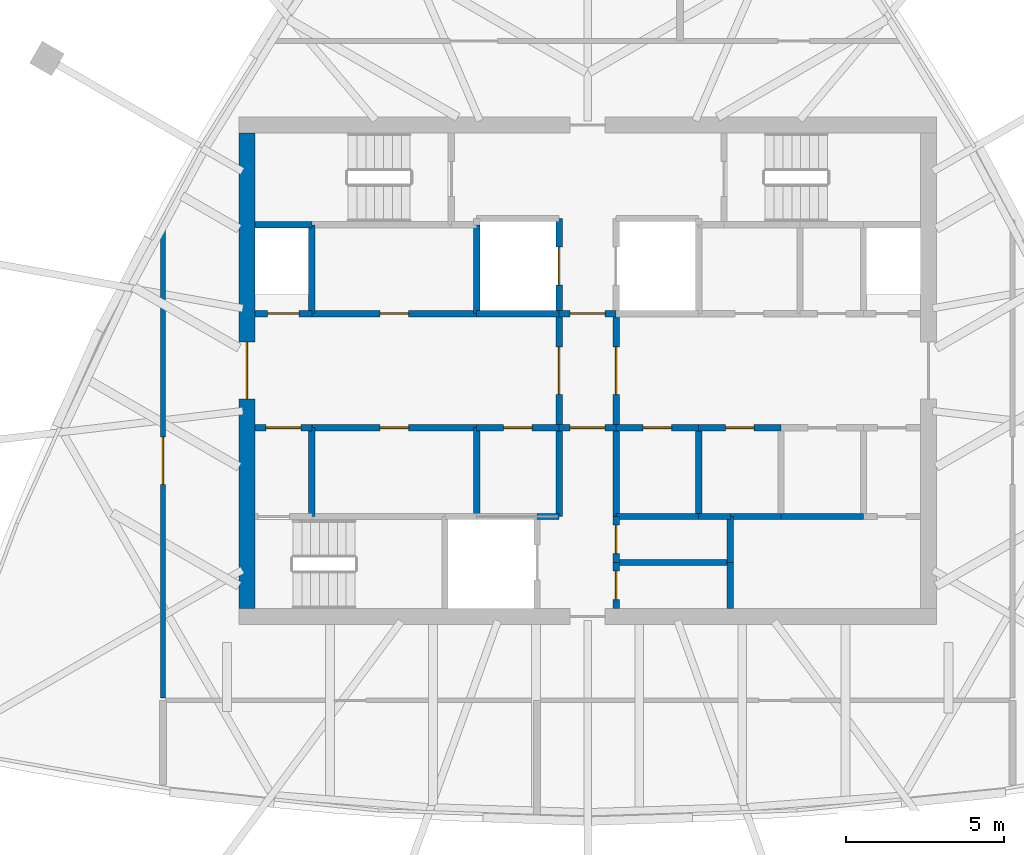
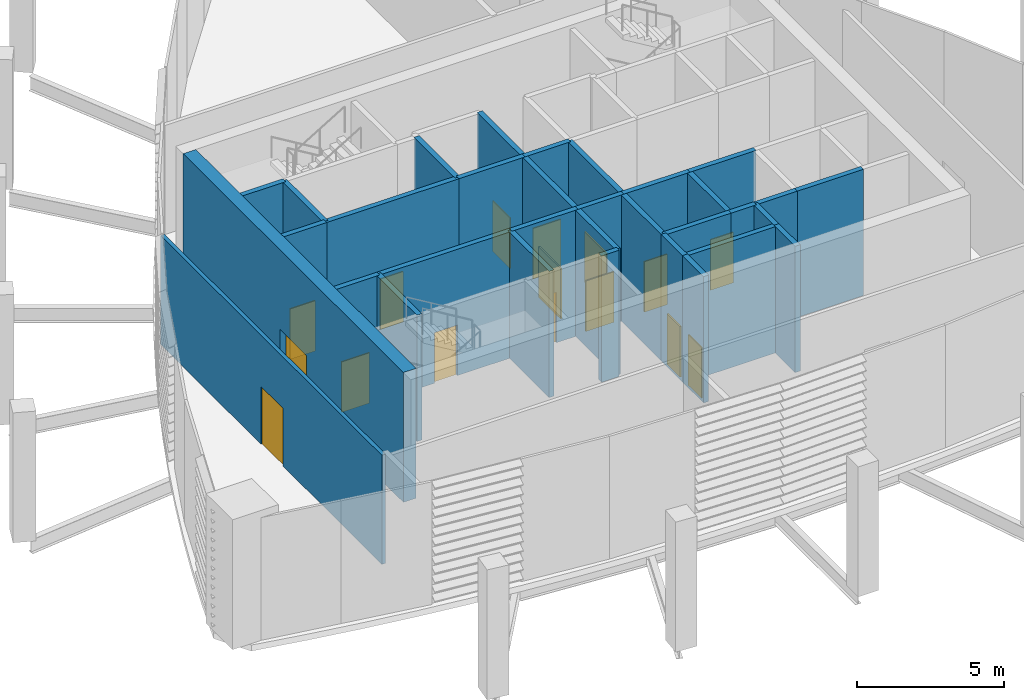
# One storey, part 3 of 8: 33 walls, 16 doors, 16 openings.
"""IFC4 building model written with IfcOpenShell, lengths in metres."""

from ifc_helpers import new_model, si_unit, direction, frame, frame_2d, origin, place, context, subcontext, project, spatial, rectangle, extrude, material, layer, layer_set, type_object, element, fill, save


model = new_model("IFC4")

# Units and contexts
model_context = context("Model", 3, precision=1e-05, world=origin(), true_north=direction((0.0, 1.0)))
body_context = subcontext(model_context, "Body", "Model", "MODEL_VIEW")
ifc_project = project(units=[si_unit("LENGTHUNIT", "METRE"), si_unit("AREAUNIT", "SQUARE_METRE"), si_unit("VOLUMEUNIT", "CUBIC_METRE"), si_unit("PLANEANGLEUNIT", "RADIAN"), si_unit("MASSUNIT", "GRAM", prefix="KILO")], contexts=[model_context])

# Site, building, storey
site_placement = place(None, origin())
site = spatial("IfcSite", under=ifc_project, at=site_placement, CompositionType="ELEMENT")
building_placement = place(site_placement, origin())
building = spatial("IfcBuilding", under=site, at=building_placement, Name="Sierra Prisma Convention Tower", CompositionType="ELEMENT")
storey_placement = place(building_placement, frame((0.0, 0.0, 344.800048828125)))
storey = spatial("IfcBuildingStorey", under=building, at=storey_placement, Name="L77", CompositionType="ELEMENT", Elevation=344.800048828125)

# Wall, opening, door
ifc_material_1 = material(Name="Concrete C30/37", Category="concrete")
ifc_layer_1 = layer(ifc_material_1, 0.199951171875)
ifc_layer_set_1 = layer_set([ifc_layer_1], Name="Core wall RC 200 C30/37")
wall_type_1 = type_object("IfcWallType", Name="Core wall RC 200 C30/37", PredefinedType="SOLIDWALL", material=ifc_layer_set_1)
wall_1_placement = place(storey_placement, frame((-10.5, -1.800048828125, 0.0), z_axis=(0.0, 0.0, 1.0), x_axis=(1.0, 0.0, 0.0)))
wall_1 = element("IfcWall", 1, at=wall_1_placement, inside=storey, type_object=wall_type_1, Name="Core wall L77 2", PredefinedType="SOLIDWALL", context=body_context, shape_type="SweptSolid", body=[
    extrude(rectangle(XDim=1.800048828125, YDim=0.199951171875, at=frame_2d((0.89990234375, 0.0))), origin(), (0.0, 0.0, 1.0), 5.25),
])
opening_1_placement = place(wall_1_placement, frame((0.35009765625, 0.0, 0.0)))
opening_1 = element("IfcOpeningElement", 2, at=opening_1_placement, cuts=wall_1, Name="Opening L77-D006", PredefinedType="OPENING", context=body_context, shape_type="SweptSolid", body=[
    extrude(rectangle(XDim=1.10009765625, YDim=2.10009765625, at=frame_2d((0.550048828125, 1.050048828125))), frame((0.0, 0.10009765625, 0.0), z_axis=(0.0, -1.0, 0.0), x_axis=(1.0, 0.0, 0.0)), (0.0, 0.0, 1.0), 0.199951171875),
])
ifc_material_2 = material(Name="Steel fire door leaf", Category="steel")
door_type_1 = type_object("IfcDoorType", Name="Door 1100x2100 FD90S", OperationType="SINGLE_SWING_LEFT", PredefinedType="DOOR", material=ifc_material_2)
door_1_placement = place(opening_1_placement, origin())
door_1 = element("IfcDoor", 3, at=door_1_placement, inside=storey, type_object=door_type_1, Name="Door L77 12", OperationType="SINGLE_SWING_RIGHT", OverallHeight=2.10009765625, OverallWidth=1.10009765625, PredefinedType="DOOR", context=body_context, shape_type="SweptSolid", body=[
    extrude(rectangle(XDim=1.10009765625, YDim=2.10009765625, at=frame_2d((0.550048828125, 1.050048828125))), frame((0.0, 0.02490234375, 0.0), z_axis=(0.0, -1.0, 0.0), x_axis=(1.0, 0.0, 0.0)), (0.0, 0.0, 1.0), 0.050048828125),
])
fill(opening_1, door_1)

wall_2_placement = place(storey_placement, frame((-8.699951171875, 1.800048828125, 0.0), z_axis=(0.0, 0.0, 1.0), x_axis=(-1.0, 0.0, 0.0)))
wall_2 = element("IfcWall", 4, at=wall_2_placement, inside=storey, type_object=wall_type_1, Name="Core wall L77 3", PredefinedType="SOLIDWALL", context=body_context, shape_type="SweptSolid", body=[
    extrude(rectangle(XDim=1.800048828125, YDim=0.199951171875, at=frame_2d((0.89990234375, 0.0))), origin(), (0.0, 0.0, 1.0), 5.25),
])
opening_2_placement = place(wall_2_placement, frame((0.39990234375, 0.0, 0.0)))
opening_2 = element("IfcOpeningElement", 5, at=opening_2_placement, cuts=wall_2, Name="Opening L77-D009", PredefinedType="OPENING", context=body_context, shape_type="SweptSolid", body=[
    extrude(rectangle(XDim=1.0, YDim=2.10009765625, at=frame_2d((0.5, 1.050048828125))), frame((0.0, 0.10009765625, 0.0), z_axis=(0.0, -1.0, 0.0), x_axis=(1.0, 0.0, 0.0)), (0.0, 0.0, 1.0), 0.199951171875),
])
ifc_material_3 = material(Name="Steel fire door leaf", Category="steel")
door_type_2 = type_object("IfcDoorType", Name="Door 1000x2100 FD60S", OperationType="SINGLE_SWING_LEFT", PredefinedType="DOOR", material=ifc_material_3)
door_2_placement = place(opening_2_placement, origin())
door_2 = element("IfcDoor", 6, at=door_2_placement, inside=storey, type_object=door_type_2, Name="Door L77 15", OperationType="SINGLE_SWING_RIGHT", OverallHeight=2.10009765625, OverallWidth=1.0, PredefinedType="DOOR", context=body_context, shape_type="SweptSolid", body=[
    extrude(rectangle(XDim=1.0, YDim=2.10009765625, at=frame_2d((0.5, 1.050048828125))), frame((0.0, 0.02490234375, 0.0), z_axis=(0.0, -1.0, 0.0), x_axis=(1.0, 0.0, 0.0)), (0.0, 0.0, 1.0), 0.050048828125),
])
fill(opening_2, door_2)

# Walls
wall_3_placement = place(storey_placement, frame((-8.699951171875, 4.60009765625, 0.0), z_axis=(0.0, 0.0, 1.0), x_axis=(-1.0, 0.0, 0.0)))
element("IfcWall", 7, at=wall_3_placement, inside=storey, type_object=wall_type_1, Name="Core wall L77 4", PredefinedType="SOLIDWALL", context=body_context, shape_type="SweptSolid", body=[
    extrude(rectangle(XDim=1.800048828125, YDim=0.199951171875, at=frame_2d((0.89990234375, 0.0))), origin(), (0.0, 0.0, 1.0), 5.25),
])
wall_4_placement = place(storey_placement, frame((-8.699951171875, -1.800048828125, 0.0), z_axis=(0.0, 0.0, 1.0), x_axis=(0.0, -1.0, 0.0)))
element("IfcWall", 8, at=wall_4_placement, inside=storey, type_object=wall_type_1, Name="Core wall L77 6", PredefinedType="SOLIDWALL", context=body_context, shape_type="SweptSolid", body=[
    extrude(rectangle(XDim=2.800048828125, YDim=0.199951171875, at=frame_2d((1.39990234375, 0.0))), origin(), (0.0, 0.0, 1.0), 5.25),
])

# Wall, opening, door
wall_5_placement = place(storey_placement, frame((-3.5, -1.800048828125, 0.0), z_axis=(0.0, 0.0, 1.0), x_axis=(-1.0, 0.0, 0.0)))
wall_5 = element("IfcWall", 9, at=wall_5_placement, inside=storey, type_object=wall_type_1, Name="Core wall L77 7", PredefinedType="SOLIDWALL", context=body_context, shape_type="SweptSolid", body=[
    extrude(rectangle(XDim=5.199951171875, YDim=0.199951171875, at=frame_2d((2.60009765625, 0.0))), origin(), (0.0, 0.0, 1.0), 5.25),
])
opening_3_placement = place(wall_5_placement, frame((2.14990234375, 0.0, 0.0)))
opening_3 = element("IfcOpeningElement", 10, at=opening_3_placement, cuts=wall_5, Name="Opening L77-D016", PredefinedType="OPENING", context=body_context, shape_type="SweptSolid", body=[
    extrude(rectangle(XDim=0.89990234375, YDim=2.10009765625, at=frame_2d((0.449951171875, 1.050048828125))), frame((0.0, 0.10009765625, 0.0), z_axis=(0.0, -1.0, 0.0), x_axis=(1.0, 0.0, 0.0)), (0.0, 0.0, 1.0), 0.199951171875),
])
ifc_material_4 = material(Name="Steel fire door leaf", Category="steel")
door_type_3 = type_object("IfcDoorType", Name="Door 900x2100 FD30S", OperationType="SINGLE_SWING_LEFT", PredefinedType="DOOR", material=ifc_material_4)
door_3_placement = place(opening_3_placement, origin())
door_3 = element("IfcDoor", 11, at=door_3_placement, inside=storey, type_object=door_type_3, Name="Door L77 22", OperationType="SINGLE_SWING_LEFT", OverallHeight=2.10009765625, OverallWidth=0.89990234375, PredefinedType="DOOR", context=body_context, shape_type="SweptSolid", body=[
    extrude(rectangle(XDim=0.89990234375, YDim=2.10009765625, at=frame_2d((0.449951171875, 1.050048828125))), frame((0.0, 0.02490234375, 0.0), z_axis=(0.0, -1.0, 0.0), x_axis=(1.0, 0.0, 0.0)), (0.0, 0.0, 1.0), 0.050048828125),
])
fill(opening_3, door_3)

wall_6_placement = place(storey_placement, frame((-8.699951171875, 1.800048828125, 0.0), z_axis=(0.0, 0.0, 1.0), x_axis=(1.0, 0.0, 0.0)))
wall_6 = element("IfcWall", 12, at=wall_6_placement, inside=storey, type_object=wall_type_1, Name="Core wall L77 8", PredefinedType="SOLIDWALL", context=body_context, shape_type="SweptSolid", body=[
    extrude(rectangle(XDim=5.199951171875, YDim=0.199951171875, at=frame_2d((2.60009765625, 0.0))), origin(), (0.0, 0.0, 1.0), 5.25),
])
opening_4_placement = place(wall_6_placement, frame((2.14990234375, 0.0, 0.0)))
opening_4 = element("IfcOpeningElement", 13, at=opening_4_placement, cuts=wall_6, Name="Opening L77-D021", PredefinedType="OPENING", context=body_context, shape_type="SweptSolid", body=[
    extrude(rectangle(XDim=0.89990234375, YDim=2.10009765625, at=frame_2d((0.449951171875, 1.050048828125))), frame((0.0, 0.10009765625, 0.0), z_axis=(0.0, -1.0, 0.0), x_axis=(1.0, 0.0, 0.0)), (0.0, 0.0, 1.0), 0.199951171875),
])
door_4_placement = place(opening_4_placement, origin())
door_4 = element("IfcDoor", 14, at=door_4_placement, inside=storey, type_object=door_type_3, Name="Door L77 27", OperationType="SINGLE_SWING_RIGHT", OverallHeight=2.10009765625, OverallWidth=0.89990234375, PredefinedType="DOOR", context=body_context, shape_type="SweptSolid", body=[
    extrude(rectangle(XDim=0.89990234375, YDim=2.10009765625, at=frame_2d((0.449951171875, 1.050048828125))), frame((0.0, 0.02490234375, 0.0), z_axis=(0.0, -1.0, 0.0), x_axis=(1.0, 0.0, 0.0)), (0.0, 0.0, 1.0), 0.050048828125),
])
fill(opening_4, door_4)

# Walls
for number, where, z_axis, x_axis, name in (
    (15, (-8.699951171875, 4.60009765625, 0.0), (0.0, 0.0, 1.0), (0.0, -1.0, 0.0), "Core wall L77 9"),
    (16, (-3.5, -4.60009765625, 0.0), (0.0, 0.0, 1.0), (0.0, 1.0, 0.0), "Core wall L77 16"),
):
    element("IfcWall", number, at=place(storey_placement, frame(where, z_axis=z_axis, x_axis=x_axis)), inside=storey, type_object=wall_type_1, Name=name, PredefinedType="SOLIDWALL", context=body_context, shape_type="SweptSolid", body=[
        extrude(rectangle(XDim=2.800048828125, YDim=0.199951171875, at=frame_2d((1.39990234375, 0.0))), origin(), (0.0, 0.0, 1.0), 5.25),
    ])

# Wall, opening, door
wall_7_placement = place(storey_placement, frame((-0.89990234375, -1.800048828125, 0.0), z_axis=(0.0, 0.0, 1.0), x_axis=(-1.0, 0.0, 0.0)))
wall_7 = element("IfcWall", 17, at=wall_7_placement, inside=storey, type_object=wall_type_1, Name="Core wall L77 17", PredefinedType="SOLIDWALL", context=body_context, shape_type="SweptSolid", body=[
    extrude(rectangle(XDim=2.60009765625, YDim=0.199951171875, at=frame_2d((1.300048828125, 0.0))), origin(), (0.0, 0.0, 1.0), 5.25),
])
opening_5_placement = place(wall_7_placement, frame((0.85009765625, 0.0, 0.0)))
opening_5 = element("IfcOpeningElement", 18, at=opening_5_placement, cuts=wall_7, Name="Opening L77-D017", PredefinedType="OPENING", context=body_context, shape_type="SweptSolid", body=[
    extrude(rectangle(XDim=0.89990234375, YDim=2.10009765625, at=frame_2d((0.449951171875, 1.050048828125))), frame((0.0, 0.10009765625, 0.0), z_axis=(0.0, -1.0, 0.0), x_axis=(1.0, 0.0, 0.0)), (0.0, 0.0, 1.0), 0.199951171875),
])
door_5_placement = place(opening_5_placement, origin())
door_5 = element("IfcDoor", 19, at=door_5_placement, inside=storey, type_object=door_type_3, Name="Door L77 23", OperationType="SINGLE_SWING_RIGHT", OverallHeight=2.10009765625, OverallWidth=0.89990234375, PredefinedType="DOOR", context=body_context, shape_type="SweptSolid", body=[
    extrude(rectangle(XDim=0.89990234375, YDim=2.10009765625, at=frame_2d((0.449951171875, 1.050048828125))), frame((0.0, 0.02490234375, 0.0), z_axis=(0.0, -1.0, 0.0), x_axis=(1.0, 0.0, 0.0)), (0.0, 0.0, 1.0), 0.050048828125),
])
fill(opening_5, door_5)

# Walls
wall_8_placement = place(storey_placement, frame((-0.89990234375, 1.800048828125, 0.0), z_axis=(0.0, 0.0, 1.0), x_axis=(-1.0, 0.0, 0.0)))
element("IfcWall", 20, at=wall_8_placement, inside=storey, type_object=wall_type_1, Name="Core wall L77 18", PredefinedType="SOLIDWALL", context=body_context, shape_type="SweptSolid", body=[
    extrude(rectangle(XDim=2.60009765625, YDim=0.199951171875, at=frame_2d((1.300048828125, 0.0))), origin(), (0.0, 0.0, 1.0), 5.25),
])
wall_9_placement = place(storey_placement, frame((-3.5, 1.800048828125, 0.0), z_axis=(0.0, 0.0, 1.0), x_axis=(0.0, 1.0, 0.0)))
element("IfcWall", 21, at=wall_9_placement, inside=storey, type_object=wall_type_1, Name="Core wall L77 19", PredefinedType="SOLIDWALL", context=body_context, shape_type="SweptSolid", body=[
    extrude(rectangle(XDim=2.800048828125, YDim=0.199951171875, at=frame_2d((1.39990234375, 0.0))), origin(), (0.0, 0.0, 1.0), 5.25),
])

# Wall, opening, door
wall_10_placement = place(storey_placement, frame((-0.89990234375, 1.800048828125, 0.0), z_axis=(0.0, 0.0, 1.0), x_axis=(0.0, 1.0, 0.0)))
wall_10 = element("IfcWall", 22, at=wall_10_placement, inside=storey, type_object=wall_type_1, Name="Core wall L77 20", PredefinedType="SOLIDWALL", context=body_context, shape_type="SweptSolid", body=[
    extrude(rectangle(XDim=3.0, YDim=0.199951171875, at=frame_2d((1.5, 0.0))), origin(), (0.0, 0.0, 1.0), 5.25),
])
opening_6_placement = place(wall_10_placement, frame((0.89990234375, 0.0, 0.0)))
opening_6 = element("IfcOpeningElement", 23, at=opening_6_placement, cuts=wall_10, Name="Opening L77-D001", PredefinedType="OPENING", context=body_context, shape_type="SweptSolid", body=[
    extrude(rectangle(XDim=1.199951171875, YDim=2.10009765625, at=frame_2d((0.60009765625, 1.050048828125))), frame((0.0, 0.10009765625, 0.0), z_axis=(0.0, -1.0, 0.0), x_axis=(1.0, 0.0, 0.0)), (0.0, 0.0, 1.0), 0.199951171875),
])
ifc_material_5 = material(Name="Steel fire door leaf", Category="steel")
door_type_4 = type_object("IfcDoorType", Name="Door 1200x2100 EI 90 sliding lift landing", OperationType="SLIDING_TO_LEFT", PredefinedType="DOOR", material=ifc_material_5)
door_6_placement = place(opening_6_placement, origin())
door_6 = element("IfcDoor", 24, at=door_6_placement, inside=storey, type_object=door_type_4, Name="Door L77 7", OperationType="SLIDING_TO_RIGHT", OverallHeight=2.10009765625, OverallWidth=1.199951171875, PredefinedType="DOOR", context=body_context, shape_type="SweptSolid", body=[
    extrude(rectangle(XDim=1.199951171875, YDim=2.10009765625, at=frame_2d((0.60009765625, 1.050048828125))), frame((0.0, 0.02490234375, 0.0), z_axis=(0.0, -1.0, 0.0), x_axis=(1.0, 0.0, 0.0)), (0.0, 0.0, 1.0), 0.050048828125),
])
fill(opening_6, door_6)

# Walls
wall_11_placement = place(storey_placement, frame((-1.60009765625, -4.60009765625, 0.0), z_axis=(0.0, 0.0, 1.0), x_axis=(1.0, 0.0, 0.0)))
element("IfcWall", 25, at=wall_11_placement, inside=storey, type_object=wall_type_1, Name="Core wall L77 24", PredefinedType="SOLIDWALL", context=body_context, shape_type="SweptSolid", body=[
    extrude(rectangle(XDim=0.7001953125, YDim=0.199951171875, at=frame_2d((0.35009765625, 0.0))), origin(), (0.0, 0.0, 1.0), 5.25),
])
wall_12_placement = place(storey_placement, frame((-0.89990234375, -4.60009765625, 0.0), z_axis=(0.0, 0.0, 1.0), x_axis=(0.0, 1.0, 0.0)))
element("IfcWall", 26, at=wall_12_placement, inside=storey, type_object=wall_type_1, Name="Core wall L77 25", PredefinedType="SOLIDWALL", context=body_context, shape_type="SweptSolid", body=[
    extrude(rectangle(XDim=2.800048828125, YDim=0.199951171875, at=frame_2d((1.39990234375, 0.0))), origin(), (0.0, 0.0, 1.0), 5.25),
])

# Wall, opening, door
wall_13_placement = place(storey_placement, frame((-0.89990234375, -1.800048828125, 0.0), z_axis=(0.0, 0.0, 1.0), x_axis=(1.0, 0.0, 0.0)))
wall_13 = element("IfcWall", 27, at=wall_13_placement, inside=storey, type_object=wall_type_1, Name="Core wall L77 26", PredefinedType="SOLIDWALL", context=body_context, shape_type="SweptSolid", body=[
    extrude(rectangle(XDim=1.7998046875, YDim=0.199951171875, at=frame_2d((0.89990234375, 0.0))), origin(), (0.0, 0.0, 1.0), 5.25),
])
opening_7_placement = place(wall_13_placement, frame((0.35009765625, 0.0, 0.0)))
opening_7 = element("IfcOpeningElement", 28, at=opening_7_placement, cuts=wall_13, Name="Opening L77-D008", PredefinedType="OPENING", context=body_context, shape_type="SweptSolid", body=[
    extrude(rectangle(XDim=1.10009765625, YDim=2.10009765625, at=frame_2d((0.550048828125, 1.050048828125))), frame((0.0, 0.10009765625, 0.0), z_axis=(0.0, -1.0, 0.0), x_axis=(1.0, 0.0, 0.0)), (0.0, 0.0, 1.0), 0.199951171875),
])
ifc_material_6 = material(Name="Steel fire door leaf", Category="steel")
door_type_5 = type_object("IfcDoorType", Name="Door 1100x2100 FD30S", OperationType="SINGLE_SWING_LEFT", PredefinedType="DOOR", material=ifc_material_6)
door_7_placement = place(opening_7_placement, origin())
door_7 = element("IfcDoor", 29, at=door_7_placement, inside=storey, type_object=door_type_5, Name="Door L77 14", OperationType="SINGLE_SWING_RIGHT", OverallHeight=2.10009765625, OverallWidth=1.10009765625, PredefinedType="DOOR", context=body_context, shape_type="SweptSolid", body=[
    extrude(rectangle(XDim=1.10009765625, YDim=2.10009765625, at=frame_2d((0.550048828125, 1.050048828125))), frame((0.0, 0.02490234375, 0.0), z_axis=(0.0, -1.0, 0.0), x_axis=(1.0, 0.0, 0.0)), (0.0, 0.0, 1.0), 0.050048828125),
])
fill(opening_7, door_7)

wall_14_placement = place(storey_placement, frame((-0.89990234375, 1.800048828125, 0.0), z_axis=(0.0, 0.0, 1.0), x_axis=(0.0, -1.0, 0.0)))
wall_14 = element("IfcWall", 30, at=wall_14_placement, inside=storey, type_object=wall_type_1, Name="Core wall L77 27", PredefinedType="SOLIDWALL", context=body_context, shape_type="SweptSolid", body=[
    extrude(rectangle(XDim=3.60009765625, YDim=0.199951171875, at=frame_2d((1.800048828125, 0.0))), origin(), (0.0, 0.0, 1.0), 5.25),
])
opening_8_placement = place(wall_14_placement, frame((1.050048828125, 0.0, 0.0)))
opening_8 = element("IfcOpeningElement", 31, at=opening_8_placement, cuts=wall_14, Name="Opening L77-D004", PredefinedType="OPENING", context=body_context, shape_type="SweptSolid", body=[
    extrude(rectangle(XDim=1.5, YDim=2.10009765625, at=frame_2d((0.75, 1.050048828125))), frame((0.0, 0.10009765625, 0.0), z_axis=(0.0, -1.0, 0.0), x_axis=(1.0, 0.0, 0.0)), (0.0, 0.0, 1.0), 0.199951171875),
])
ifc_material_7 = material(Name="Steel fire door leaf", Category="steel")
door_type_6 = type_object("IfcDoorType", Name="Door 1500x2100 FD30S", OperationType="DOUBLE_DOOR_SINGLE_SWING", PredefinedType="DOOR", material=ifc_material_7)
door_8_placement = place(opening_8_placement, origin())
door_8 = element("IfcDoor", 32, at=door_8_placement, inside=storey, type_object=door_type_6, Name="Door L77 10", OperationType="DOUBLE_DOOR_SINGLE_SWING", OverallHeight=2.10009765625, OverallWidth=1.5, PredefinedType="DOOR", context=body_context, shape_type="SweptSolid", body=[
    extrude(rectangle(XDim=1.5, YDim=2.10009765625, at=frame_2d((0.75, 1.050048828125))), frame((0.0, 0.02490234375, 0.0), z_axis=(0.0, -1.0, 0.0), x_axis=(1.0, 0.0, 0.0)), (0.0, 0.0, 1.0), 0.050048828125),
])
fill(opening_8, door_8)

wall_15_placement = place(storey_placement, frame((0.89990234375, 1.800048828125, 0.0), z_axis=(0.0, 0.0, 1.0), x_axis=(-1.0, 0.0, 0.0)))
wall_15 = element("IfcWall", 33, at=wall_15_placement, inside=storey, type_object=wall_type_1, Name="Core wall L77 28", PredefinedType="SOLIDWALL", context=body_context, shape_type="SweptSolid", body=[
    extrude(rectangle(XDim=1.7998046875, YDim=0.199951171875, at=frame_2d((0.89990234375, 0.0))), origin(), (0.0, 0.0, 1.0), 5.25),
])
opening_9_placement = place(wall_15_placement, frame((0.35009765625, 0.0, 0.0)))
opening_9 = element("IfcOpeningElement", 34, at=opening_9_placement, cuts=wall_15, Name="Opening L77-D007", PredefinedType="OPENING", context=body_context, shape_type="SweptSolid", body=[
    extrude(rectangle(XDim=1.10009765625, YDim=2.10009765625, at=frame_2d((0.550048828125, 1.050048828125))), frame((0.0, 0.10009765625, 0.0), z_axis=(0.0, -1.0, 0.0), x_axis=(1.0, 0.0, 0.0)), (0.0, 0.0, 1.0), 0.199951171875),
])
ifc_material_8 = material(Name="Steel fire door leaf", Category="steel")
door_type_7 = type_object("IfcDoorType", Name="Door 1100x2100 FD60S", OperationType="SINGLE_SWING_LEFT", PredefinedType="DOOR", material=ifc_material_8)
door_9_placement = place(opening_9_placement, origin())
door_9 = element("IfcDoor", 35, at=door_9_placement, inside=storey, type_object=door_type_7, Name="Door L77 13", OperationType="SINGLE_SWING_RIGHT", OverallHeight=2.10009765625, OverallWidth=1.10009765625, PredefinedType="DOOR", context=body_context, shape_type="SweptSolid", body=[
    extrude(rectangle(XDim=1.10009765625, YDim=2.10009765625, at=frame_2d((0.550048828125, 1.050048828125))), frame((0.0, 0.02490234375, 0.0), z_axis=(0.0, -1.0, 0.0), x_axis=(1.0, 0.0, 0.0)), (0.0, 0.0, 1.0), 0.050048828125),
])
fill(opening_9, door_9)

wall_16_placement = place(storey_placement, frame((0.89990234375, -6.050048828125, 0.0), z_axis=(0.0, 0.0, 1.0), x_axis=(0.0, -1.0, 0.0)))
wall_16 = element("IfcWall", 36, at=wall_16_placement, inside=storey, type_object=wall_type_1, Name="Core wall L77 29", PredefinedType="SOLIDWALL", context=body_context, shape_type="SweptSolid", body=[
    extrude(rectangle(XDim=1.449951171875, YDim=0.199951171875, at=frame_2d((0.72509765625, 0.0))), origin(), (0.0, 0.0, 1.0), 5.25),
])
opening_10_placement = place(wall_16_placement, frame((0.27490234375, 0.0, 0.0)))
opening_10 = element("IfcOpeningElement", 37, at=opening_10_placement, cuts=wall_16, Name="Opening L77-D024", PredefinedType="OPENING", context=body_context, shape_type="SweptSolid", body=[
    extrude(rectangle(XDim=0.89990234375, YDim=2.10009765625, at=frame_2d((0.449951171875, 1.050048828125))), frame((0.0, 0.10009765625, 0.0), z_axis=(0.0, -1.0, 0.0), x_axis=(1.0, 0.0, 0.0)), (0.0, 0.0, 1.0), 0.199951171875),
])
door_10_placement = place(opening_10_placement, origin())
door_10 = element("IfcDoor", 38, at=door_10_placement, inside=storey, type_object=door_type_3, Name="Door L77 30", OperationType="SINGLE_SWING_RIGHT", OverallHeight=2.10009765625, OverallWidth=0.89990234375, PredefinedType="DOOR", context=body_context, shape_type="SweptSolid", body=[
    extrude(rectangle(XDim=0.89990234375, YDim=2.10009765625, at=frame_2d((0.449951171875, 1.050048828125))), frame((0.0, 0.02490234375, 0.0), z_axis=(0.0, -1.0, 0.0), x_axis=(1.0, 0.0, 0.0)), (0.0, 0.0, 1.0), 0.050048828125),
])
fill(opening_10, door_10)

# Wall
wall_17_placement = place(storey_placement, frame((4.5, -6.050048828125, 0.0), z_axis=(0.0, 0.0, 1.0), x_axis=(-1.0, 0.0, 0.0)))
element("IfcWall", 39, at=wall_17_placement, inside=storey, type_object=wall_type_1, Name="Core wall L77 30", PredefinedType="SOLIDWALL", context=body_context, shape_type="SweptSolid", body=[
    extrude(rectangle(XDim=3.60009765625, YDim=0.199951171875, at=frame_2d((1.800048828125, 0.0))), origin(), (0.0, 0.0, 1.0), 5.25),
])

# Wall, opening, door
wall_18_placement = place(storey_placement, frame((0.89990234375, -4.60009765625, 0.0), z_axis=(0.0, 0.0, 1.0), x_axis=(0.0, -1.0, 0.0)))
wall_18 = element("IfcWall", 40, at=wall_18_placement, inside=storey, type_object=wall_type_1, Name="Core wall L77 31", PredefinedType="SOLIDWALL", context=body_context, shape_type="SweptSolid", body=[
    extrude(rectangle(XDim=1.449951171875, YDim=0.199951171875, at=frame_2d((0.72509765625, 0.0))), origin(), (0.0, 0.0, 1.0), 5.25),
])
opening_11_placement = place(wall_18_placement, frame((0.27490234375, 0.0, 0.0)))
opening_11 = element("IfcOpeningElement", 41, at=opening_11_placement, cuts=wall_18, Name="Opening L77-D025", PredefinedType="OPENING", context=body_context, shape_type="SweptSolid", body=[
    extrude(rectangle(XDim=0.89990234375, YDim=2.10009765625, at=frame_2d((0.449951171875, 1.050048828125))), frame((0.0, 0.10009765625, 0.0), z_axis=(0.0, -1.0, 0.0), x_axis=(1.0, 0.0, 0.0)), (0.0, 0.0, 1.0), 0.199951171875),
])
door_11_placement = place(opening_11_placement, origin())
door_11 = element("IfcDoor", 42, at=door_11_placement, inside=storey, type_object=door_type_3, Name="Door L77 31", OperationType="SINGLE_SWING_LEFT", OverallHeight=2.10009765625, OverallWidth=0.89990234375, PredefinedType="DOOR", context=body_context, shape_type="SweptSolid", body=[
    extrude(rectangle(XDim=0.89990234375, YDim=2.10009765625, at=frame_2d((0.449951171875, 1.050048828125))), frame((0.0, 0.02490234375, 0.0), z_axis=(0.0, -1.0, 0.0), x_axis=(1.0, 0.0, 0.0)), (0.0, 0.0, 1.0), 0.050048828125),
])
fill(opening_11, door_11)

# Walls
wall_19_placement = place(storey_placement, frame((0.89990234375, -4.60009765625, 0.0), z_axis=(0.0, 0.0, 1.0), x_axis=(1.0, 0.0, 0.0)))
element("IfcWall", 43, at=wall_19_placement, inside=storey, type_object=wall_type_1, Name="Core wall L77 32", PredefinedType="SOLIDWALL", context=body_context, shape_type="SweptSolid", body=[
    extrude(rectangle(XDim=2.60009765625, YDim=0.199951171875, at=frame_2d((1.300048828125, 0.0))), origin(), (0.0, 0.0, 1.0), 5.25),
])
wall_20_placement = place(storey_placement, frame((0.89990234375, -1.800048828125, 0.0), z_axis=(0.0, 0.0, 1.0), x_axis=(0.0, -1.0, 0.0)))
element("IfcWall", 44, at=wall_20_placement, inside=storey, type_object=wall_type_1, Name="Core wall L77 33", PredefinedType="SOLIDWALL", context=body_context, shape_type="SweptSolid", body=[
    extrude(rectangle(XDim=2.800048828125, YDim=0.199951171875, at=frame_2d((1.39990234375, 0.0))), origin(), (0.0, 0.0, 1.0), 5.25),
])

# Wall, opening, door
wall_21_placement = place(storey_placement, frame((3.5, -1.800048828125, 0.0), z_axis=(0.0, 0.0, 1.0), x_axis=(-1.0, 0.0, 0.0)))
wall_21 = element("IfcWall", 45, at=wall_21_placement, inside=storey, type_object=wall_type_1, Name="Core wall L77 34", PredefinedType="SOLIDWALL", context=body_context, shape_type="SweptSolid", body=[
    extrude(rectangle(XDim=2.60009765625, YDim=0.199951171875, at=frame_2d((1.300048828125, 0.0))), origin(), (0.0, 0.0, 1.0), 5.25),
])
opening_12_placement = place(wall_21_placement, frame((0.85009765625, 0.0, 0.0)))
opening_12 = element("IfcOpeningElement", 46, at=opening_12_placement, cuts=wall_21, Name="Opening L77-D018", PredefinedType="OPENING", context=body_context, shape_type="SweptSolid", body=[
    extrude(rectangle(XDim=0.89990234375, YDim=2.10009765625, at=frame_2d((0.449951171875, 1.050048828125))), frame((0.0, 0.10009765625, 0.0), z_axis=(0.0, -1.0, 0.0), x_axis=(1.0, 0.0, 0.0)), (0.0, 0.0, 1.0), 0.199951171875),
])
door_12_placement = place(opening_12_placement, origin())
door_12 = element("IfcDoor", 47, at=door_12_placement, inside=storey, type_object=door_type_3, Name="Door L77 24", OperationType="SINGLE_SWING_RIGHT", OverallHeight=2.10009765625, OverallWidth=0.89990234375, PredefinedType="DOOR", context=body_context, shape_type="SweptSolid", body=[
    extrude(rectangle(XDim=0.89990234375, YDim=2.10009765625, at=frame_2d((0.449951171875, 1.050048828125))), frame((0.0, 0.02490234375, 0.0), z_axis=(0.0, -1.0, 0.0), x_axis=(1.0, 0.0, 0.0)), (0.0, 0.0, 1.0), 0.050048828125),
])
fill(opening_12, door_12)

wall_22_placement = place(storey_placement, frame((0.89990234375, -1.800048828125, 0.0), z_axis=(0.0, 0.0, 1.0), x_axis=(0.0, 1.0, 0.0)))
wall_22 = element("IfcWall", 48, at=wall_22_placement, inside=storey, type_object=wall_type_1, Name="Core wall L77 35", PredefinedType="SOLIDWALL", context=body_context, shape_type="SweptSolid", body=[
    extrude(rectangle(XDim=3.60009765625, YDim=0.199951171875, at=frame_2d((1.800048828125, 0.0))), origin(), (0.0, 0.0, 1.0), 5.25),
])
opening_13_placement = place(wall_22_placement, frame((1.050048828125, 0.0, 0.0)))
opening_13 = element("IfcOpeningElement", 49, at=opening_13_placement, cuts=wall_22, Name="Opening L77-D005", PredefinedType="OPENING", context=body_context, shape_type="SweptSolid", body=[
    extrude(rectangle(XDim=1.5, YDim=2.10009765625, at=frame_2d((0.75, 1.050048828125))), frame((0.0, 0.10009765625, 0.0), z_axis=(0.0, -1.0, 0.0), x_axis=(1.0, 0.0, 0.0)), (0.0, 0.0, 1.0), 0.199951171875),
])
door_13_placement = place(opening_13_placement, origin())
door_13 = element("IfcDoor", 50, at=door_13_placement, inside=storey, type_object=door_type_6, Name="Door L77 11", OperationType="DOUBLE_DOOR_SINGLE_SWING", OverallHeight=2.10009765625, OverallWidth=1.5, PredefinedType="DOOR", context=body_context, shape_type="SweptSolid", body=[
    extrude(rectangle(XDim=1.5, YDim=2.10009765625, at=frame_2d((0.75, 1.050048828125))), frame((0.0, 0.02490234375, 0.0), z_axis=(0.0, -1.0, 0.0), x_axis=(1.0, 0.0, 0.0)), (0.0, 0.0, 1.0), 0.050048828125),
])
fill(opening_13, door_13)

# Walls
wall_23_placement = place(storey_placement, frame((3.5, -4.60009765625, 0.0), z_axis=(0.0, 0.0, 1.0), x_axis=(1.0, 0.0, 0.0)))
element("IfcWall", 51, at=wall_23_placement, inside=storey, type_object=wall_type_1, Name="Core wall L77 40", PredefinedType="SOLIDWALL", context=body_context, shape_type="SweptSolid", body=[
    extrude(rectangle(XDim=1.0, YDim=0.199951171875, at=frame_2d((0.5, 0.0))), origin(), (0.0, 0.0, 1.0), 5.25),
])
wall_24_placement = place(storey_placement, frame((3.5, -4.60009765625, 0.0), z_axis=(0.0, 0.0, 1.0), x_axis=(0.0, 1.0, 0.0)))
element("IfcWall", 52, at=wall_24_placement, inside=storey, type_object=wall_type_1, Name="Core wall L77 41", PredefinedType="SOLIDWALL", context=body_context, shape_type="SweptSolid", body=[
    extrude(rectangle(XDim=2.800048828125, YDim=0.199951171875, at=frame_2d((1.39990234375, 0.0))), origin(), (0.0, 0.0, 1.0), 5.25),
])

# Wall, opening, door
wall_25_placement = place(storey_placement, frame((6.10009765625, -1.800048828125, 0.0), z_axis=(0.0, 0.0, 1.0), x_axis=(-1.0, 0.0, 0.0)))
wall_25 = element("IfcWall", 53, at=wall_25_placement, inside=storey, type_object=wall_type_1, Name="Core wall L77 42", PredefinedType="SOLIDWALL", context=body_context, shape_type="SweptSolid", body=[
    extrude(rectangle(XDim=2.60009765625, YDim=0.199951171875, at=frame_2d((1.300048828125, 0.0))), origin(), (0.0, 0.0, 1.0), 5.25),
])
opening_14_placement = place(wall_25_placement, frame((0.85009765625, 0.0, 0.0)))
opening_14 = element("IfcOpeningElement", 54, at=opening_14_placement, cuts=wall_25, Name="Opening L77-D019", PredefinedType="OPENING", context=body_context, shape_type="SweptSolid", body=[
    extrude(rectangle(XDim=0.89990234375, YDim=2.10009765625, at=frame_2d((0.449951171875, 1.050048828125))), frame((0.0, 0.10009765625, 0.0), z_axis=(0.0, -1.0, 0.0), x_axis=(1.0, 0.0, 0.0)), (0.0, 0.0, 1.0), 0.199951171875),
])
door_14_placement = place(opening_14_placement, origin())
door_14 = element("IfcDoor", 55, at=door_14_placement, inside=storey, type_object=door_type_3, Name="Door L77 25", OperationType="SINGLE_SWING_RIGHT", OverallHeight=2.10009765625, OverallWidth=0.89990234375, PredefinedType="DOOR", context=body_context, shape_type="SweptSolid", body=[
    extrude(rectangle(XDim=0.89990234375, YDim=2.10009765625, at=frame_2d((0.449951171875, 1.050048828125))), frame((0.0, 0.02490234375, 0.0), z_axis=(0.0, -1.0, 0.0), x_axis=(1.0, 0.0, 0.0)), (0.0, 0.0, 1.0), 0.050048828125),
])
fill(opening_14, door_14)

# Walls
for number, where, z_axis, x_axis, name in (
    (56, (4.5, -6.050048828125, 0.0), (0.0, 0.0, 1.0), (0.0, -1.0, 0.0), "Core wall L77 48"),
    (57, (4.5, -4.60009765625, 0.0), (0.0, 0.0, 1.0), (0.0, -1.0, 0.0), "Core wall L77 49"),
):
    element("IfcWall", number, at=place(storey_placement, frame(where, z_axis=z_axis, x_axis=x_axis)), inside=storey, type_object=wall_type_1, Name=name, PredefinedType="SOLIDWALL", context=body_context, shape_type="SweptSolid", body=[
        extrude(rectangle(XDim=1.449951171875, YDim=0.199951171875, at=frame_2d((0.72509765625, 0.0))), origin(), (0.0, 0.0, 1.0), 5.25),
    ])
wall_26_placement = place(storey_placement, frame((4.5, -4.60009765625, 0.0), z_axis=(0.0, 0.0, 1.0), x_axis=(1.0, 0.0, 0.0)))
element("IfcWall", 58, at=wall_26_placement, inside=storey, type_object=wall_type_1, Name="Core wall L77 50", PredefinedType="SOLIDWALL", context=body_context, shape_type="SweptSolid", body=[
    extrude(rectangle(XDim=1.60009765625, YDim=0.199951171875, at=frame_2d((0.800048828125, 0.0))), origin(), (0.0, 0.0, 1.0), 5.25),
])
wall_27_placement = place(storey_placement, frame((6.10009765625, -4.60009765625, 0.0), z_axis=(0.0, 0.0, 1.0), x_axis=(1.0, 0.0, 0.0)))
element("IfcWall", 59, at=wall_27_placement, inside=storey, type_object=wall_type_1, Name="Core wall L77 51", PredefinedType="SOLIDWALL", context=body_context, shape_type="SweptSolid", body=[
    extrude(rectangle(XDim=2.599853515625, YDim=0.199951171875, at=frame_2d((1.2998046875, 0.0))), origin(), (0.0, 0.0, 1.0), 5.25),
])

# Wall, opening, door
ifc_material_9 = material(Name="Concrete C50/60", Category="concrete")
ifc_layer_2 = layer(ifc_material_9, 0.5)
ifc_layer_set_2 = layer_set([ifc_layer_2], Name="Core wall RC 500 C50/60")
wall_type_2 = type_object("IfcWallType", Name="Core wall RC 500 C50/60", PredefinedType="SHEAR", material=ifc_layer_set_2)
wall_28_placement = place(storey_placement, frame((-10.75, -7.5, 0.0), z_axis=(0.0, 0.0, 1.0), x_axis=(0.0, 1.0, 0.0)))
wall_28 = element("IfcWall", 60, at=wall_28_placement, inside=storey, type_object=wall_type_2, Name="Core wall W L77", PredefinedType="SHEAR", context=body_context, shape_type="SweptSolid", body=[
    extrude(rectangle(XDim=15.0, YDim=0.5, at=frame_2d((7.5, 0.0))), origin(), (0.0, 0.0, 1.0), 5.39990234375),
])
opening_15_placement = place(wall_28_placement, frame((6.60009765625, 0.0, 0.0)))
opening_15 = element("IfcOpeningElement", 61, at=opening_15_placement, cuts=wall_28, Name="Opening L77-D035", PredefinedType="OPENING", context=body_context, shape_type="SweptSolid", body=[
    extrude(rectangle(XDim=1.800048828125, YDim=2.10009765625, at=frame_2d((0.89990234375, 1.050048828125))), frame((0.0, 0.25, 0.0), z_axis=(0.0, -1.0, 0.0), x_axis=(1.0, 0.0, 0.0)), (0.0, 0.0, 1.0), 0.5),
])
ifc_material_10 = material(Name="Steel fire door leaf", Category="steel")
door_type_8 = type_object("IfcDoorType", Name="Door 1800x2100 FD60S", OperationType="DOUBLE_DOOR_SINGLE_SWING", PredefinedType="DOOR", material=ifc_material_10)
door_15_placement = place(opening_15_placement, origin())
door_15 = element("IfcDoor", 62, at=door_15_placement, inside=storey, type_object=door_type_8, Name="Door L77 32", OperationType="DOUBLE_DOOR_SINGLE_SWING", OverallHeight=2.10009765625, OverallWidth=1.800048828125, PredefinedType="DOOR", context=body_context, shape_type="SweptSolid", body=[
    extrude(rectangle(XDim=1.800048828125, YDim=2.10009765625, at=frame_2d((0.89990234375, 1.050048828125))), frame((0.0, 0.02490234375, 0.0), z_axis=(0.0, -1.0, 0.0), x_axis=(1.0, 0.0, 0.0)), (0.0, 0.0, 1.0), 0.050048828125),
])
fill(opening_15, door_15)

ifc_material_11 = material(Name="Gypsum board partition", Category="gypsum")
ifc_layer_3 = layer(ifc_material_11, 0.14990234375)
ifc_layer_set_3 = layer_set([ifc_layer_3], Name="Corridor wall 150 gypsum EI 60")
wall_type_3 = type_object("IfcWallType", Name="Corridor wall 150 gypsum EI 60", PredefinedType="PARTITIONING", material=ifc_layer_set_3)
wall_29_placement = place(storey_placement, frame((-13.39990234375, 4.751708984375, 0.0), z_axis=(0.0, 0.0, 1.0), x_axis=(0.0, -1.0, 0.0)))
wall_29 = element("IfcWall", 63, at=wall_29_placement, inside=storey, type_object=wall_type_3, Name="Partition L77 corr 1", PredefinedType="PARTITIONING", context=body_context, shape_type="SweptSolid", body=[
    extrude(rectangle(XDim=15.07177734375, YDim=0.14990234375, at=frame_2d((7.535888671875, 0.0))), origin(), (0.0, 0.0, 1.0), 4.532958984375),
])
opening_16_placement = place(wall_29_placement, frame((6.8359375, 0.0, 0.0)))
opening_16 = element("IfcOpeningElement", 64, at=opening_16_placement, cuts=wall_29, Name="Opening L77-D028", PredefinedType="OPENING", context=body_context, shape_type="SweptSolid", body=[
    extrude(rectangle(XDim=1.5, YDim=2.39990234375, at=frame_2d((0.75, 1.199951171875))), frame((0.0, 0.074951171875, 0.0), z_axis=(0.0, -1.0, 0.0), x_axis=(1.0, 0.0, 0.0)), (0.0, 0.0, 1.0), 0.14990234375),
])
ifc_material_12 = material(Name="Steel fire door leaf", Category="steel")
door_type_9 = type_object("IfcDoorType", Name="Door 1500x2400 FD60S", OperationType="DOUBLE_DOOR_SINGLE_SWING", PredefinedType="DOOR", material=ifc_material_12)
door_16_placement = place(opening_16_placement, origin())
door_16 = element("IfcDoor", 65, at=door_16_placement, inside=storey, type_object=door_type_9, Name="Door L77 3", OperationType="DOUBLE_DOOR_SINGLE_SWING", OverallHeight=2.39990234375, OverallWidth=1.5, PredefinedType="DOOR", context=body_context, shape_type="SweptSolid", body=[
    extrude(rectangle(XDim=1.5, YDim=2.39990234375, at=frame_2d((0.75, 1.199951171875))), frame((0.0, 0.02490234375, 0.0), z_axis=(0.0, -1.0, 0.0), x_axis=(1.0, 0.0, 0.0)), (0.0, 0.0, 1.0), 0.050048828125),
])
fill(opening_16, door_16)

save(model, "model.ifc")
